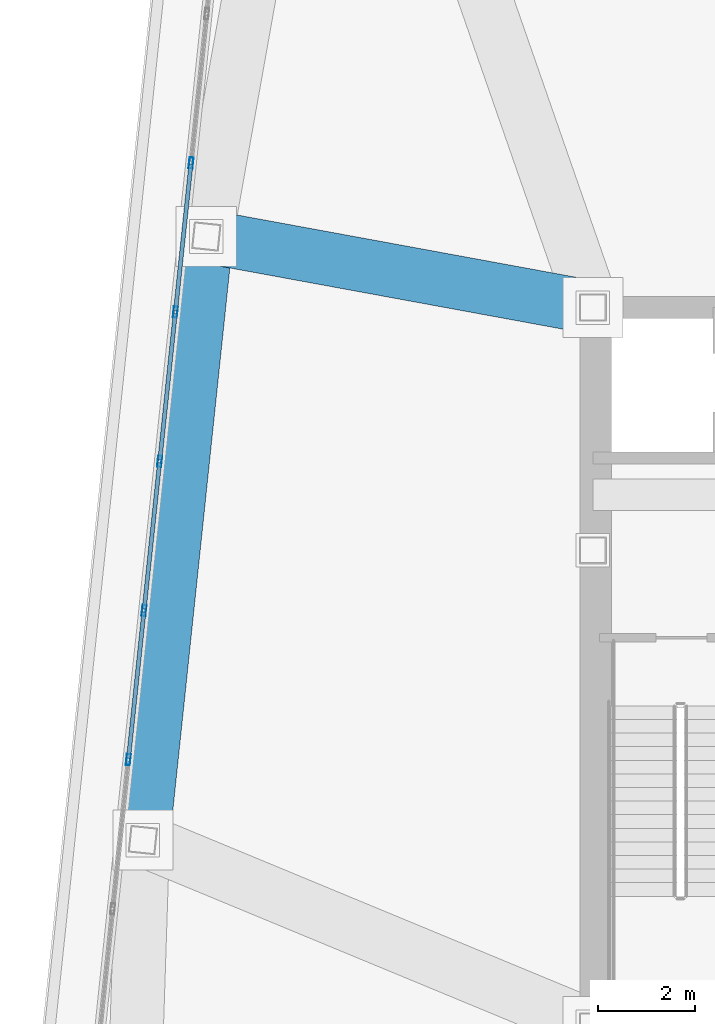
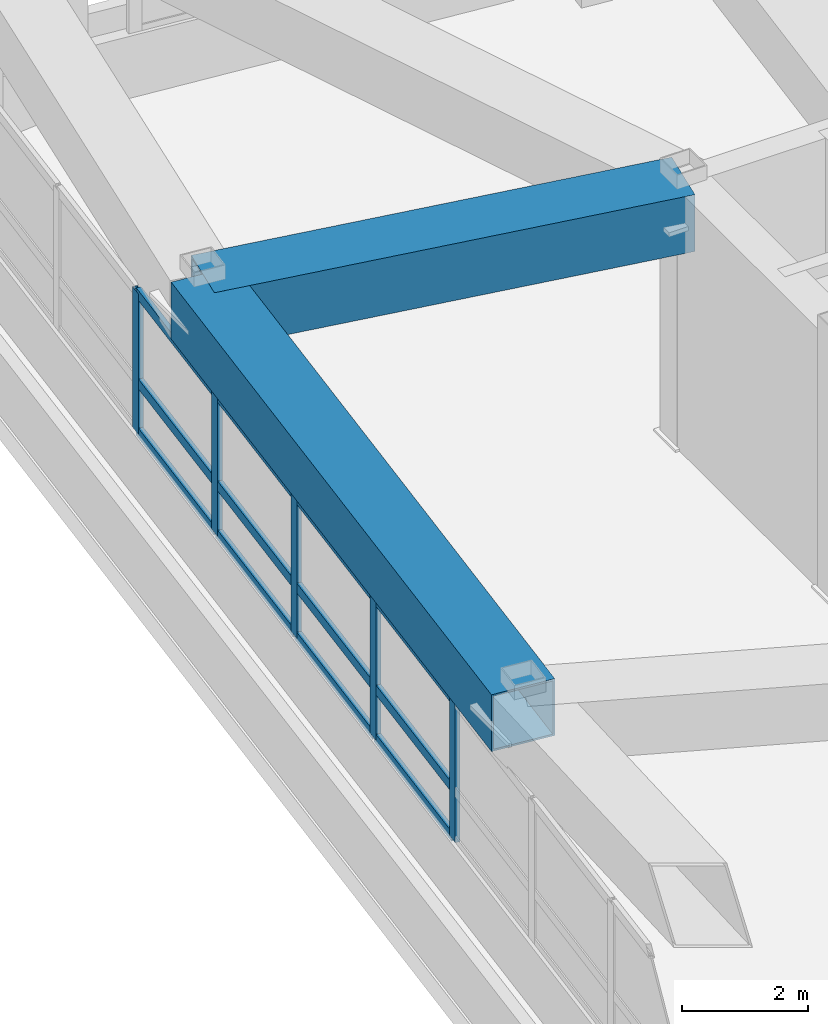
# One storey, part 5 of 22: 17 members, 2 beams, 1 element without a shape of its own.
"""IFC4 building model written with IfcOpenShell, lengths in metres."""

from ifc_helpers import new_model, si_unit, direction, frame, origin, origin_2d, place, context, subcontext, project, spatial, hollow_rectangle, extrude, material, layer, layer_set, material_profile, profile_set, type_object, element, aggregate, save


model = new_model("IFC4")

# Units and contexts
model_context = context("Model", 3, precision=1e-05, world=origin(), true_north=direction((0.0, 1.0)))
body_context = subcontext(model_context, "Body", "Model", "MODEL_VIEW")
ifc_project = project(units=[si_unit("LENGTHUNIT", "METRE"), si_unit("AREAUNIT", "SQUARE_METRE"), si_unit("VOLUMEUNIT", "CUBIC_METRE"), si_unit("PLANEANGLEUNIT", "RADIAN"), si_unit("MASSUNIT", "GRAM", prefix="KILO")], contexts=[model_context])

# Site, building, storey
site_placement = place(None, origin())
site = spatial("IfcSite", under=ifc_project, at=site_placement, CompositionType="ELEMENT")
building_placement = place(site_placement, origin())
building = spatial("IfcBuilding", under=site, at=building_placement, Name="Voryun Gate Residences", CompositionType="ELEMENT")
storey_placement = place(building_placement, frame((0.0, 0.0, 310.699951171875)))
storey = spatial("IfcBuildingStorey", under=building, at=storey_placement, Name="L77", CompositionType="ELEMENT", Elevation=310.699951171875)

# Beams
ifc_material_1 = material(Name="Steel SM420", Category="steel")
ifc_material_profile_1 = material_profile(ifc_material_1, hollow_rectangle(XDim=1.10009765625, YDim=1.10009765625, WallThickness=0.035888671875, at=origin_2d()), Name="BOX-1100x1100x36")
ifc_profile_set_1 = profile_set([ifc_material_profile_1], Name="Steel SM420")
beam_type = type_object("IfcBeamType", Name="BM_ARCH_RIB", PredefinedType="USERDEFINED", material=ifc_profile_set_1)
beam_1_placement = place(storey_placement, frame((-27.158203125, 8.861572265625, 4.47509765625), z_axis=(-0.104539303236, -0.994520755982, 0.0), x_axis=(0.994520755982, -0.104539303236, 0.0)))
element("IfcBeam", 1, at=beam_1_placement, inside=storey, type_object=beam_type, Name="BM-L77-SPAND-18", ObjectType="GIRDER", PredefinedType="USERDEFINED", context=body_context, shape_type="SweptSolid", body=[
    extrude(hollow_rectangle(XDim=1.10009765625, YDim=1.10009765625, WallThickness=0.035888671875, at=origin_2d()), origin(), (0.0, 0.0, 1.0), 12.491943359375),
])
beam_2_placement = place(storey_placement, frame((-19.199951171875, 7.39990234375, 4.47509765625), z_axis=(-0.983548260318, 0.180645563534, 0.0), x_axis=(-0.180645563534, -0.983548260318, 0.0)))
element("IfcBeam", 2, at=beam_2_placement, inside=storey, type_object=beam_type, Name="BM-L77-RAD-W1", ObjectType="GIRDER", PredefinedType="USERDEFINED", context=body_context, shape_type="SweptSolid", body=[
    extrude(hollow_rectangle(XDim=1.10009765625, YDim=1.10009765625, WallThickness=0.035888671875, at=origin_2d()), origin(), (0.0, 0.0, 1.0), 8.09130859375),
])

# Curtain wall, members
ifc_material_2 = material(Name="Anodised aluminium", Category="aluminium")
ifc_layer = layer(ifc_material_2, 0.22998046875, Name="CW_SYS_LANTERN_DARK_GLASS")
ifc_layer_set = layer_set([ifc_layer], Name="Anodised aluminium")
curtain_wall_type = type_object("IfcCurtainWallType", Name="CW_SYS_LANTERN_DARK_GLASS", PredefinedType="NOTDEFINED", material=ifc_layer_set)
curtain_wall_placement = place(storey_placement, origin())
curtain_wall = element("IfcCurtainWall", 3, at=curtain_wall_placement, inside=storey, type_object=curtain_wall_type, Name="Curtain wall CW6-L77-06", PredefinedType="NOTDEFINED")
ifc_material_3 = material(Name="Anodised aluminium", Category="aluminium")
ifc_material_profile_2 = material_profile(ifc_material_3, hollow_rectangle(XDim=0.0849609375, YDim=0.22998046875, WallThickness=0.006103515625, at=origin_2d()), Name="ALU-MULL-230x85x6")
ifc_profile_set_2 = profile_set([ifc_material_profile_2], Name="Anodised aluminium")
member_type_1 = type_object("IfcMemberType", Name="CW_MULL_LANT", PredefinedType="MULLION", material=ifc_profile_set_2)
member_1_placement = place(storey_placement, frame((-28.7626953125, -1.907470703125, 1.18994140625), z_axis=(0.0, 0.0, 1.0), x_axis=(-0.994521943608, 0.104528004296, 0.0)))
member_1 = element("IfcMember", 4, at=member_1_placement, type_object=member_type_1, Name="CW6 mullion 4", PredefinedType="MULLION", context=body_context, shape_type="SweptSolid", body=[
    extrude(hollow_rectangle(XDim=0.0849609375, YDim=0.22998046875, WallThickness=0.006103515625, at=origin_2d()), origin(), (0.0, 0.0, 1.0), 2.72509765625),
])
member_2_placement = place(storey_placement, frame((-28.43994140625, 1.163330078125, 1.18994140625), z_axis=(0.0, 0.0, 1.0), x_axis=(-0.994521943608, 0.104528004296, 0.0)))
member_2 = element("IfcMember", 5, at=member_2_placement, type_object=member_type_1, Name="CW6 mullion 5", PredefinedType="MULLION", context=body_context, shape_type="SweptSolid", body=[
    extrude(hollow_rectangle(XDim=0.0849609375, YDim=0.22998046875, WallThickness=0.006103515625, at=origin_2d()), origin(), (0.0, 0.0, 1.0), 2.72509765625),
])
member_3_placement = place(storey_placement, frame((-28.1171875, 4.234375, 1.18994140625), z_axis=(0.0, 0.0, 1.0), x_axis=(-0.994521943608, 0.104528004296, 0.0)))
member_3 = element("IfcMember", 6, at=member_3_placement, type_object=member_type_1, Name="CW6 mullion 6", PredefinedType="MULLION", context=body_context, shape_type="SweptSolid", body=[
    extrude(hollow_rectangle(XDim=0.0849609375, YDim=0.22998046875, WallThickness=0.006103515625, at=origin_2d()), origin(), (0.0, 0.0, 1.0), 2.72509765625),
])
member_4_placement = place(storey_placement, frame((-27.79443359375, 7.305419921875, 1.18994140625), z_axis=(0.0, 0.0, 1.0), x_axis=(-0.994521943608, 0.104528004296, 0.0)))
member_4 = element("IfcMember", 7, at=member_4_placement, type_object=member_type_1, Name="CW6 mullion 7", PredefinedType="MULLION", context=body_context, shape_type="SweptSolid", body=[
    extrude(hollow_rectangle(XDim=0.0849609375, YDim=0.22998046875, WallThickness=0.006103515625, at=origin_2d()), origin(), (0.0, 0.0, 1.0), 2.72509765625),
])
member_5_placement = place(storey_placement, frame((-27.4716796875, 10.376220703125, 1.18994140625), z_axis=(0.0, 0.0, 1.0), x_axis=(-0.994521943608, 0.104528004296, 0.0)))
member_5 = element("IfcMember", 8, at=member_5_placement, type_object=member_type_1, Name="CW6 mullion 8", PredefinedType="MULLION", context=body_context, shape_type="SweptSolid", body=[
    extrude(hollow_rectangle(XDim=0.0849609375, YDim=0.22998046875, WallThickness=0.006103515625, at=origin_2d()), origin(), (0.0, 0.0, 1.0), 2.72509765625),
])
ifc_material_4 = material(Name="Anodised aluminium", Category="aluminium")
ifc_material_profile_3 = material_profile(ifc_material_4, hollow_rectangle(XDim=0.0849609375, YDim=0.18994140625, WallThickness=0.006103515625, at=origin_2d()), Name="ALU-TRAN-190x85x6")
ifc_profile_set_3 = profile_set([ifc_material_profile_3], Name="Anodised aluminium")
member_type_2 = type_object("IfcMemberType", Name="CW_TRAN_LANT", PredefinedType="USERDEFINED", material=ifc_profile_set_3)
member_6_placement = place(storey_placement, frame((-28.759521484375, -1.877685546875, 1.219970703125), z_axis=(0.104500100479, 0.994524876009, 0.0), x_axis=(-0.994524876009, 0.104500100479, 0.0)))
member_6 = element("IfcMember", 9, at=member_6_placement, type_object=member_type_2, Name="CW6 transom 4.1", ObjectType="TRANSOM", PredefinedType="USERDEFINED", context=body_context, shape_type="SweptSolid", body=[
    extrude(hollow_rectangle(XDim=0.0849609375, YDim=0.18994140625, WallThickness=0.006103515625, at=origin_2d()), origin(), (0.0, 0.0, 1.0), 3.02783203125),
])
member_7_placement = place(storey_placement, frame((-28.759521484375, -1.877685546875, 2.171142578125), z_axis=(0.104500100479, 0.994524876009, 0.0), x_axis=(-0.994524876009, 0.104500100479, 0.0)))
member_7 = element("IfcMember", 10, at=member_7_placement, type_object=member_type_2, Name="CW6 transom 4.2", ObjectType="TRANSOM", PredefinedType="USERDEFINED", context=body_context, shape_type="SweptSolid", body=[
    extrude(hollow_rectangle(XDim=0.0849609375, YDim=0.18994140625, WallThickness=0.006103515625, at=origin_2d()), origin(), (0.0, 0.0, 1.0), 3.02783203125),
])
member_8_placement = place(storey_placement, frame((-28.759521484375, -1.877685546875, 3.885009765625), z_axis=(0.104500100479, 0.994524876009, 0.0), x_axis=(-0.994524876009, 0.104500100479, 0.0)))
member_8 = element("IfcMember", 11, at=member_8_placement, type_object=member_type_2, Name="CW6 transom 4.3", ObjectType="TRANSOM", PredefinedType="USERDEFINED", context=body_context, shape_type="SweptSolid", body=[
    extrude(hollow_rectangle(XDim=0.0849609375, YDim=0.18994140625, WallThickness=0.006103515625, at=origin_2d()), origin(), (0.0, 0.0, 1.0), 3.02783203125),
])
member_9_placement = place(storey_placement, frame((-28.436767578125, 1.193359375, 1.219970703125), z_axis=(0.104500100479, 0.994524876009, 0.0), x_axis=(-0.994524876009, 0.104500100479, 0.0)))
member_9 = element("IfcMember", 12, at=member_9_placement, type_object=member_type_2, Name="CW6 transom 5.1", ObjectType="TRANSOM", PredefinedType="USERDEFINED", context=body_context, shape_type="SweptSolid", body=[
    extrude(hollow_rectangle(XDim=0.0849609375, YDim=0.18994140625, WallThickness=0.006103515625, at=origin_2d()), origin(), (0.0, 0.0, 1.0), 3.02783203125),
])
member_10_placement = place(storey_placement, frame((-28.436767578125, 1.193359375, 2.171142578125), z_axis=(0.104500100479, 0.994524876009, 0.0), x_axis=(-0.994524876009, 0.104500100479, 0.0)))
member_10 = element("IfcMember", 13, at=member_10_placement, type_object=member_type_2, Name="CW6 transom 5.2", ObjectType="TRANSOM", PredefinedType="USERDEFINED", context=body_context, shape_type="SweptSolid", body=[
    extrude(hollow_rectangle(XDim=0.0849609375, YDim=0.18994140625, WallThickness=0.006103515625, at=origin_2d()), origin(), (0.0, 0.0, 1.0), 3.02783203125),
])
member_11_placement = place(storey_placement, frame((-28.436767578125, 1.193359375, 3.885009765625), z_axis=(0.104500100479, 0.994524876009, 0.0), x_axis=(-0.994524876009, 0.104500100479, 0.0)))
member_11 = element("IfcMember", 14, at=member_11_placement, type_object=member_type_2, Name="CW6 transom 5.3", ObjectType="TRANSOM", PredefinedType="USERDEFINED", context=body_context, shape_type="SweptSolid", body=[
    extrude(hollow_rectangle(XDim=0.0849609375, YDim=0.18994140625, WallThickness=0.006103515625, at=origin_2d()), origin(), (0.0, 0.0, 1.0), 3.02783203125),
])
member_12_placement = place(storey_placement, frame((-28.114013671875, 4.26416015625, 1.219970703125), z_axis=(0.104500100479, 0.994524876009, 0.0), x_axis=(-0.994524876009, 0.104500100479, 0.0)))
member_12 = element("IfcMember", 15, at=member_12_placement, type_object=member_type_2, Name="CW6 transom 6.1", ObjectType="TRANSOM", PredefinedType="USERDEFINED", context=body_context, shape_type="SweptSolid", body=[
    extrude(hollow_rectangle(XDim=0.0849609375, YDim=0.18994140625, WallThickness=0.006103515625, at=origin_2d()), origin(), (0.0, 0.0, 1.0), 3.02783203125),
])
member_13_placement = place(storey_placement, frame((-28.114013671875, 4.26416015625, 2.171142578125), z_axis=(0.104500100479, 0.994524876009, 0.0), x_axis=(-0.994524876009, 0.104500100479, 0.0)))
member_13 = element("IfcMember", 16, at=member_13_placement, type_object=member_type_2, Name="CW6 transom 6.2", ObjectType="TRANSOM", PredefinedType="USERDEFINED", context=body_context, shape_type="SweptSolid", body=[
    extrude(hollow_rectangle(XDim=0.0849609375, YDim=0.18994140625, WallThickness=0.006103515625, at=origin_2d()), origin(), (0.0, 0.0, 1.0), 3.02783203125),
])
member_14_placement = place(storey_placement, frame((-28.114013671875, 4.26416015625, 3.885009765625), z_axis=(0.104500100479, 0.994524876009, 0.0), x_axis=(-0.994524876009, 0.104500100479, 0.0)))
member_14 = element("IfcMember", 17, at=member_14_placement, type_object=member_type_2, Name="CW6 transom 6.3", ObjectType="TRANSOM", PredefinedType="USERDEFINED", context=body_context, shape_type="SweptSolid", body=[
    extrude(hollow_rectangle(XDim=0.0849609375, YDim=0.18994140625, WallThickness=0.006103515625, at=origin_2d()), origin(), (0.0, 0.0, 1.0), 3.02783203125),
])
member_15_placement = place(storey_placement, frame((-27.791259765625, 7.335205078125, 1.219970703125), z_axis=(0.104500100479, 0.994524876009, 0.0), x_axis=(-0.994524876009, 0.104500100479, 0.0)))
member_15 = element("IfcMember", 18, at=member_15_placement, type_object=member_type_2, Name="CW6 transom 7.1", ObjectType="TRANSOM", PredefinedType="USERDEFINED", context=body_context, shape_type="SweptSolid", body=[
    extrude(hollow_rectangle(XDim=0.0849609375, YDim=0.18994140625, WallThickness=0.006103515625, at=origin_2d()), origin(), (0.0, 0.0, 1.0), 3.02783203125),
])
member_16_placement = place(storey_placement, frame((-27.791259765625, 7.335205078125, 2.171142578125), z_axis=(0.104500100479, 0.994524876009, 0.0), x_axis=(-0.994524876009, 0.104500100479, 0.0)))
member_16 = element("IfcMember", 19, at=member_16_placement, type_object=member_type_2, Name="CW6 transom 7.2", ObjectType="TRANSOM", PredefinedType="USERDEFINED", context=body_context, shape_type="SweptSolid", body=[
    extrude(hollow_rectangle(XDim=0.0849609375, YDim=0.18994140625, WallThickness=0.006103515625, at=origin_2d()), origin(), (0.0, 0.0, 1.0), 3.02783203125),
])
member_17_placement = place(storey_placement, frame((-27.791259765625, 7.335205078125, 3.885009765625), z_axis=(0.104500100479, 0.994524876009, 0.0), x_axis=(-0.994524876009, 0.104500100479, 0.0)))
member_17 = element("IfcMember", 20, at=member_17_placement, type_object=member_type_2, Name="CW6 transom 7.3", ObjectType="TRANSOM", PredefinedType="USERDEFINED", context=body_context, shape_type="SweptSolid", body=[
    extrude(hollow_rectangle(XDim=0.0849609375, YDim=0.18994140625, WallThickness=0.006103515625, at=origin_2d()), origin(), (0.0, 0.0, 1.0), 3.02783203125),
])
aggregate(curtain_wall, [member_1, member_2, member_3, member_4, member_5, member_6, member_7, member_8, member_9, member_10, member_11, member_12, member_13, member_14, member_15, member_16, member_17])

save(model, "model.ifc")
